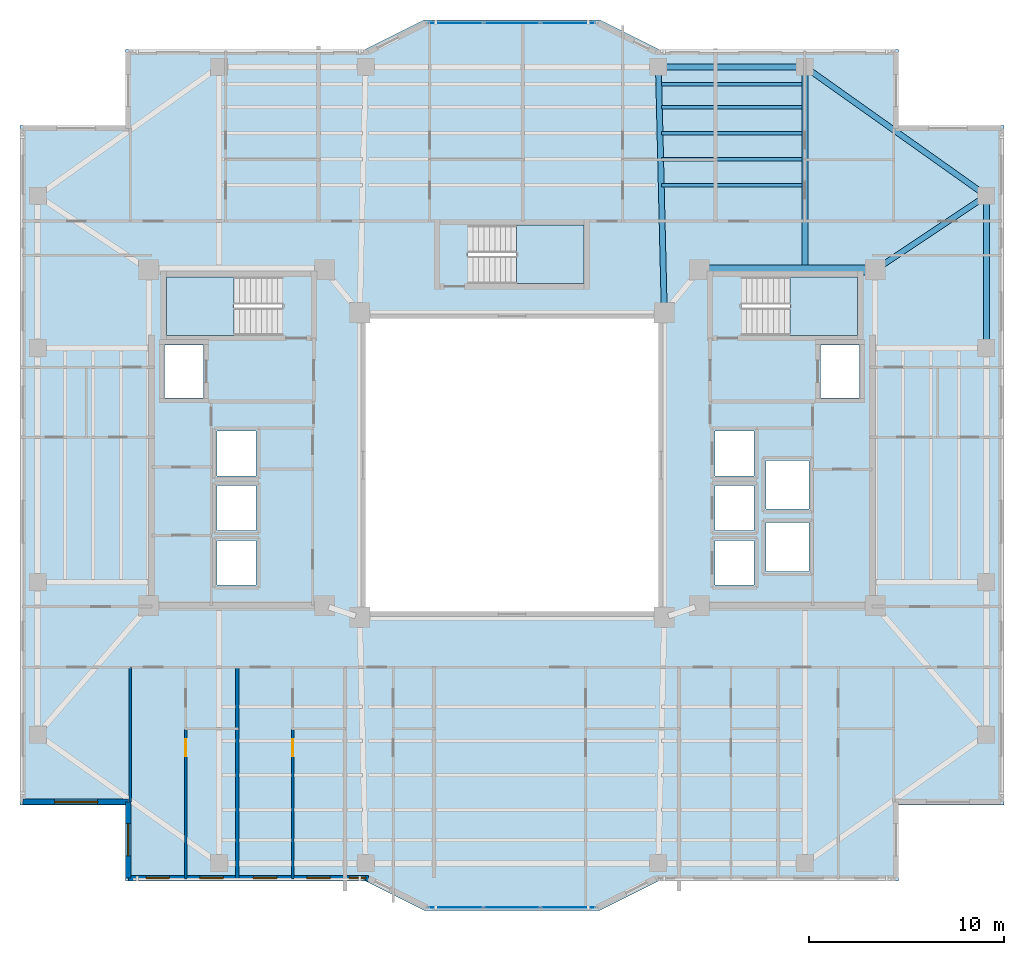
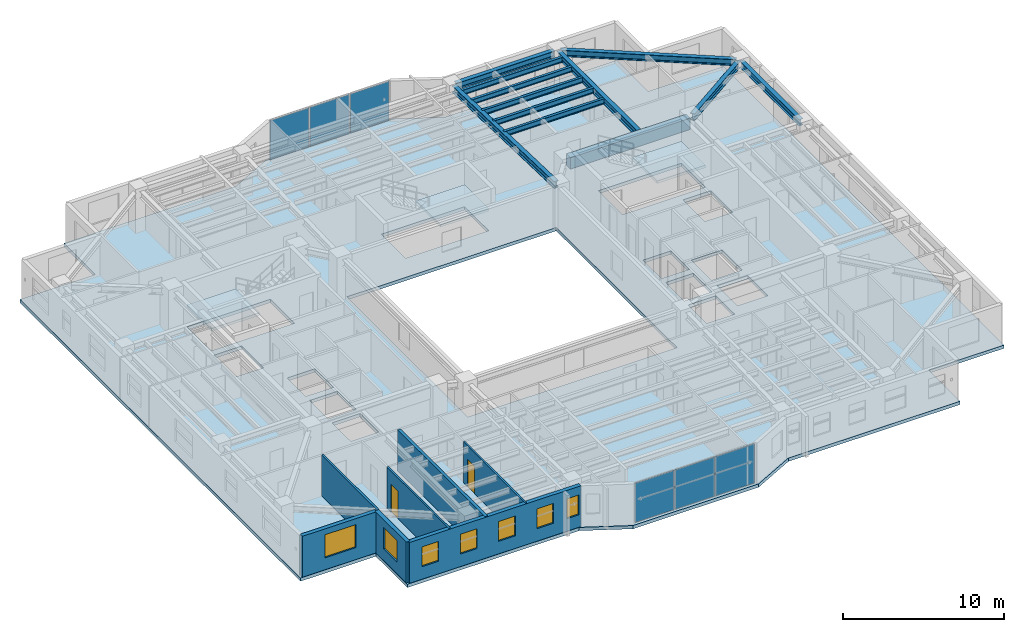
# One storey, part 5 of 16: 12 beams, 7 walls, 7 windows, 6 plates, 4 slabs, 2 doors, 9 openings, 5 elements without a shape of their own.
"""IFC4 building model written with IfcOpenShell, lengths in metres."""

from ifc_helpers import new_model, si_unit, direction, frame, frame_2d, origin, origin_2d, place, context, subcontext, project, spatial, polyline, rectangle, i_section, outline, extrude, material, layer, layer_set, material_profile, profile_set, type_object, element, fill, aggregate, save


model = new_model("IFC4")

# Units and contexts
model_context = context("Model", 3, precision=1e-05, world=origin(), true_north=direction((0.0, 1.0)))
body_context = subcontext(model_context, "Body", "Model", "MODEL_VIEW")
ifc_project = project(units=[si_unit("LENGTHUNIT", "METRE"), si_unit("AREAUNIT", "SQUARE_METRE"), si_unit("VOLUMEUNIT", "CUBIC_METRE"), si_unit("PLANEANGLEUNIT", "RADIAN"), si_unit("MASSUNIT", "GRAM", prefix="KILO")], contexts=[model_context])

# Site, building, storey
site_placement = place(None, origin())
site = spatial("IfcSite", under=ifc_project, at=site_placement, CompositionType="ELEMENT")
building_placement = place(site_placement, origin())
building = spatial("IfcBuilding", under=site, at=building_placement, Name="Tarnavaz Court Tower", CompositionType="ELEMENT")
storey_placement = place(building_placement, frame((0.0, 0.0, 135.949951171875)))
storey = spatial("IfcBuildingStorey", under=building, at=storey_placement, Name="L36", CompositionType="ELEMENT", Elevation=135.949951171875)

# Beams
ifc_material_1 = material(Name="Concrete C50/60", Category="concrete")
ifc_material_profile_1 = material_profile(ifc_material_1, rectangle(XDim=0.5, YDim=0.85009765625, at=origin_2d()), Name="RC 500X850")
ifc_profile_set_1 = profile_set([ifc_material_profile_1], Name="Concrete C50/60")
beam_type_1 = type_object("IfcBeamType", Name="BM-CB850", PredefinedType="LINTEL", material=ifc_profile_set_1)
beam_1_placement = place(storey_placement, frame((18.3798828125, 10.0, 2.675048828125), z_axis=(-1.0, 0.0, 0.0), x_axis=(0.0, -1.0, 0.0)))
element("IfcBeam", 1, at=beam_1_placement, inside=storey, type_object=beam_type_1, Name="L36 Beam IN-CE-NO-CE-NI", PredefinedType="LINTEL", context=body_context, shape_type="SweptSolid", body=[
    extrude(rectangle(XDim=0.5, YDim=0.85009765625, at=origin_2d()), origin(), (0.0, 0.0, 1.0), 8.559814453125),
])
ifc_material_2 = material(Name="Steel S355", Category="steel")
ifc_material_profile_2 = material_profile(ifc_material_2, i_section(OverallWidth=0.300048828125, OverallDepth=0.5, WebThickness=0.014404296875, FlangeThickness=0.028076171875, FilletRadius=0.027099609375, at=origin_2d()), Name="HEB 500")
ifc_profile_set_2 = profile_set([ifc_material_profile_2], Name="Steel S355")
beam_type_2 = type_object("IfcBeamType", Name="BM-G-HEB500", PredefinedType="USERDEFINED", material=ifc_profile_set_2)
beam_2_placement = place(storey_placement, frame((7.794921875, 8.02001953125, 2.85009765625), z_axis=(-0.023824748444, 0.999716150395, 0.0), x_axis=(-0.999716150395, -0.023824748444, 0.0)))
element("IfcBeam", 2, at=beam_2_placement, inside=storey, type_object=beam_type_2, Name="L36 Beam RG-03", ObjectType="GIRDER", PredefinedType="USERDEFINED", context=body_context, shape_type="SweptSolid", body=[
    extrude(i_section(OverallWidth=0.300048828125, OverallDepth=0.5, WebThickness=0.014404296875, FlangeThickness=0.028076171875, FilletRadius=0.027099609375, at=origin_2d()), origin(), (0.0, 0.0, 1.0), 12.16357421875),
])
beam_3_placement = place(storey_placement, frame((15.0, 10.0400390625, 2.85009765625), z_axis=(0.0, 1.0, 0.0), x_axis=(-1.0, 0.0, 0.0)))
element("IfcBeam", 3, at=beam_3_placement, inside=storey, type_object=beam_type_2, Name="L36 Beam RG-04", ObjectType="GIRDER", PredefinedType="USERDEFINED", context=body_context, shape_type="SweptSolid", body=[
    extrude(i_section(OverallWidth=0.300048828125, OverallDepth=0.5, WebThickness=0.014404296875, FlangeThickness=0.028076171875, FilletRadius=0.027099609375, at=origin_2d()), origin(), (0.0, 0.0, 1.0), 10.139892578125),
])
beam_4_placement = place(storey_placement, frame((18.783203125, 10.1220703125, 2.85009765625), z_axis=(0.832044435051, 0.554708985056, 0.0), x_axis=(-0.554708985056, 0.832044435051, 0.0)))
element("IfcBeam", 4, at=beam_4_placement, inside=storey, type_object=beam_type_2, Name="L36 Beam RG-12", ObjectType="GIRDER", PredefinedType="USERDEFINED", context=body_context, shape_type="SweptSolid", body=[
    extrude(i_section(OverallWidth=0.300048828125, OverallDepth=0.5, WebThickness=0.014404296875, FlangeThickness=0.028076171875, FilletRadius=0.027099609375, at=origin_2d()), origin(), (0.0, 0.0, 1.0), 6.410400390625),
])
ifc_material_profile_3 = material_profile(ifc_material_2, i_section(OverallWidth=0.179931640625, OverallDepth=0.39990234375, WebThickness=0.008544921875, FlangeThickness=0.013427734375, FilletRadius=0.02099609375, at=origin_2d()), Name="IPE 400")
ifc_profile_set_3 = profile_set([ifc_material_profile_3], Name="Steel S355")
beam_type_3 = type_object("IfcBeamType", Name="BM-J-IPE400", PredefinedType="JOIST", material=ifc_profile_set_3)
for number, where, z_axis, x_axis, name in (
    (5, (7.64990234375, 14.33203125, 2.900146484375), (1.0, 0.0, 0.0), (0.0, 1.0, 0.0), "L36 Beam JN1-3"),
    (6, (7.64990234375, 15.6640625, 2.900146484375), (1.0, 0.0, 0.0), (0.0, 1.0, 0.0), "L36 Beam JN2-3"),
    (7, (7.64990234375, 16.99609375, 2.900146484375), (1.0, 0.0, 0.0), (0.0, 1.0, 0.0), "L36 Beam JN3-3"),
    (8, (7.64990234375, 18.327880859375, 2.900146484375), (1.0, 0.0, 0.0), (0.0, 1.0, 0.0), "L36 Beam JN4-3"),
    (9, (7.64990234375, 19.511962890625, 2.900146484375), (1.0, 0.0, 0.0), (0.0, 1.0, 0.0), "L36 Beam JN5-3"),
):
    element("IfcBeam", number, at=place(storey_placement, frame(where, z_axis=z_axis, x_axis=x_axis)), inside=storey, type_object=beam_type_3, Name=name, PredefinedType="JOIST", context=body_context, shape_type="SweptSolid", body=[
        extrude(i_section(OverallWidth=0.179931640625, OverallDepth=0.39990234375, WebThickness=0.008544921875, FlangeThickness=0.013427734375, FilletRadius=0.02099609375, at=origin_2d()), origin(), (0.0, 0.0, 1.0), 7.2001953125),
    ])
ifc_material_profile_4 = material_profile(ifc_material_2, i_section(OverallWidth=0.300048828125, OverallDepth=0.489990234375, WebThickness=0.011962890625, FlangeThickness=0.02294921875, FilletRadius=0.027099609375, at=origin_2d()), Name="HEA 500")
ifc_profile_set_4 = profile_set([ifc_material_profile_4], Name="Steel S355")
beam_type_4 = type_object("IfcBeamType", Name="BM-SP-HEA500", PredefinedType="SPANDREL", material=ifc_profile_set_4)
beam_5_placement = place(storey_placement, frame((7.719970703125, 20.39990234375, 2.85498046875), z_axis=(1.0, 0.0, 0.0), x_axis=(0.0, 1.0, 0.0)))
element("IfcBeam", 10, at=beam_5_placement, inside=storey, type_object=beam_type_4, Name="L36 Beam PR-PN-3-PN-4", PredefinedType="SPANDREL", context=body_context, shape_type="SweptSolid", body=[
    extrude(i_section(OverallWidth=0.300048828125, OverallDepth=0.489990234375, WebThickness=0.011962890625, FlangeThickness=0.02294921875, FilletRadius=0.027099609375, at=origin_2d()), origin(), (0.0, 0.0, 1.0), 7.06005859375),
])
beam_6_placement = place(storey_placement, frame((24.300048828125, 6.219970703125, 2.85498046875), z_axis=(0.0, 1.0, 0.0), x_axis=(-1.0, 0.0, 0.0)))
element("IfcBeam", 11, at=beam_6_placement, inside=storey, type_object=beam_type_4, Name="L36 Beam PR-PE-3-PE-4", PredefinedType="SPANDREL", context=body_context, shape_type="SweptSolid", body=[
    extrude(i_section(OverallWidth=0.300048828125, OverallDepth=0.489990234375, WebThickness=0.011962890625, FlangeThickness=0.02294921875, FilletRadius=0.027099609375, at=origin_2d()), origin(), (0.0, 0.0, 1.0), 7.360107421875),
])
beam_7_placement = place(storey_placement, frame((15.179443359375, 20.272705078125, 2.85498046875), z_axis=(0.815502059396, -0.57875417158, 0.0), x_axis=(0.57875417158, 0.815502059396, 0.0)))
element("IfcBeam", 12, at=beam_7_placement, inside=storey, type_object=beam_type_4, Name="L36 Beam PR-PN-4-PE-4", PredefinedType="SPANDREL", context=body_context, shape_type="SweptSolid", body=[
    extrude(i_section(OverallWidth=0.300048828125, OverallDepth=0.489990234375, WebThickness=0.011962890625, FlangeThickness=0.02294921875, FilletRadius=0.027099609375, at=origin_2d()), origin(), (0.0, 0.0, 1.0), 10.964111328125),
])

# Curtain wall, plates
ifc_material_3 = material(Name="Anodised Aluminium 6063-T6 and Solar Low-E Glazing", Category="aluminium")
ifc_layer_1 = layer(ifc_material_3, 0.159912109375)
ifc_layer_set_1 = layer_set([ifc_layer_1], Name="Anodised Aluminium 6063-T6 and Solar Low-E Glazing")
curtain_wall_type = type_object("IfcCurtainWallType", Name="CW-SYS-03", PredefinedType="NOTDEFINED", material=ifc_layer_set_1)
curtain_wall_1_placement = place(storey_placement, origin())
curtain_wall_1 = element("IfcCurtainWall", 13, at=curtain_wall_1_placement, inside=storey, type_object=curtain_wall_type, Name="L36 Iwan Prow Curtain Wall 7", PredefinedType="NOTDEFINED")
ifc_material_4 = material(Name="Double-Glazed Solar Low-E Glass", Category="glass")
ifc_layer_2 = layer(ifc_material_4, 0.028076171875)
ifc_layer_set_2 = layer_set([ifc_layer_2], Name="Double-Glazed Solar Low-E Glass")
plate_type = type_object("IfcPlateType", Name="CW-PAN-GLZ28", PredefinedType="CURTAIN_PANEL", material=ifc_layer_set_2)
plate_1_placement = place(storey_placement, frame((-2.88134765625, 22.64990234375, 0.06494140625), z_axis=(0.0, 0.0, 1.0), x_axis=(1.0, 0.0, 0.0)))
plate_1 = element("IfcPlate", 14, at=plate_1_placement, type_object=plate_type, Name="CW panel 1.1", PredefinedType="CURTAIN_PANEL", context=body_context, shape_type="SweptSolid", body=[
    extrude(rectangle(XDim=2.78759765625, YDim=0.028076171875, at=origin_2d()), origin(), (0.0, 0.0, 1.0), 2.969970703125),
])
plate_2_placement = place(storey_placement, frame((0.0, 22.64990234375, 0.06494140625), z_axis=(0.0, 0.0, 1.0), x_axis=(1.0, 0.0, 0.0)))
plate_2 = element("IfcPlate", 15, at=plate_2_placement, type_object=plate_type, Name="CW panel 2.1", PredefinedType="CURTAIN_PANEL", context=body_context, shape_type="SweptSolid", body=[
    extrude(rectangle(XDim=2.824951171875, YDim=0.028076171875, at=origin_2d()), origin(), (0.0, 0.0, 1.0), 2.969970703125),
])
plate_3_placement = place(storey_placement, frame((2.88134765625, 22.64990234375, 0.06494140625), z_axis=(0.0, 0.0, 1.0), x_axis=(1.0, 0.0, 0.0)))
plate_3 = element("IfcPlate", 16, at=plate_3_placement, type_object=plate_type, Name="CW panel 3.1", PredefinedType="CURTAIN_PANEL", context=body_context, shape_type="SweptSolid", body=[
    extrude(rectangle(XDim=2.78759765625, YDim=0.028076171875, at=origin_2d()), origin(), (0.0, 0.0, 1.0), 2.969970703125),
])
aggregate(curtain_wall_1, [plate_1, plate_2, plate_3])

curtain_wall_2_placement = place(storey_placement, origin())
curtain_wall_2 = element("IfcCurtainWall", 17, at=curtain_wall_2_placement, inside=storey, type_object=curtain_wall_type, Name="L36 Iwan Prow Curtain Wall 17", PredefinedType="NOTDEFINED")
plate_4_placement = place(storey_placement, frame((2.88134765625, -22.64990234375, 0.06494140625), z_axis=(0.0, 0.0, 1.0), x_axis=(-1.0, 0.0, 0.0)))
plate_4 = element("IfcPlate", 18, at=plate_4_placement, type_object=plate_type, Name="CW panel 1.1", PredefinedType="CURTAIN_PANEL", context=body_context, shape_type="SweptSolid", body=[
    extrude(rectangle(XDim=2.78759765625, YDim=0.028076171875, at=origin_2d()), origin(), (0.0, 0.0, 1.0), 2.969970703125),
])
plate_5_placement = place(storey_placement, frame((0.0, -22.64990234375, 0.06494140625), z_axis=(0.0, 0.0, 1.0), x_axis=(-1.0, 0.0, 0.0)))
plate_5 = element("IfcPlate", 19, at=plate_5_placement, type_object=plate_type, Name="CW panel 2.1", PredefinedType="CURTAIN_PANEL", context=body_context, shape_type="SweptSolid", body=[
    extrude(rectangle(XDim=2.824951171875, YDim=0.028076171875, at=origin_2d()), origin(), (0.0, 0.0, 1.0), 2.969970703125),
])
plate_6_placement = place(storey_placement, frame((-2.88134765625, -22.64990234375, 0.06494140625), z_axis=(0.0, 0.0, 1.0), x_axis=(-1.0, 0.0, 0.0)))
plate_6 = element("IfcPlate", 20, at=plate_6_placement, type_object=plate_type, Name="CW panel 3.1", PredefinedType="CURTAIN_PANEL", context=body_context, shape_type="SweptSolid", body=[
    extrude(rectangle(XDim=2.78759765625, YDim=0.028076171875, at=origin_2d()), origin(), (0.0, 0.0, 1.0), 2.969970703125),
])
aggregate(curtain_wall_2, [plate_4, plate_5, plate_6])

# Stair, slab
ifc_material_5 = material(Name="Concrete C40/50", Category="concrete")
stair_type = type_object("IfcStairType", Name="ST-TWR-20R", PredefinedType="HALF_TURN_STAIR", material=ifc_material_5)
stair_1_placement = place(storey_placement, origin())
stair_1 = element("IfcStair", 21, at=stair_1_placement, inside=storey, type_object=stair_type, Name="L36 West Core Pressurized Exit Stair ST-W1", PredefinedType="HALF_TURN_STAIR")
ifc_layer_3 = layer(ifc_material_5, 0.199951171875)
ifc_layer_set_3 = layer_set([ifc_layer_3], Name="Concrete C40/50")
slab_type_1 = type_object("IfcSlabType", Name="SL-LAND-200", PredefinedType="LANDING", material=ifc_layer_set_3)
slab_1_placement = place(storey_placement, frame((0.0, 0.0, 1.47509765625)))
slab_1 = element("IfcSlab", 22, at=slab_1_placement, type_object=slab_type_1, Name="ST-W1 landing 1", PredefinedType="LANDING", context=body_context, shape_type="SweptSolid", body=[
    extrude(outline(polyline([(-14.239990234375, 9.639892578125), (-17.699951171875, 9.639892578125), (-17.699951171875, 6.64990234375), (-14.239990234375, 6.64990234375), (-14.239990234375, 9.639892578125)])), origin(), (0.0, 0.0, 1.0), 0.199951171875),
])
aggregate(stair_1, [slab_1])

stair_2_placement = place(storey_placement, origin())
stair_2 = element("IfcStair", 23, at=stair_2_placement, inside=storey, type_object=stair_type, Name="L36 East Core Pressurized Exit Stair ST-E1", PredefinedType="HALF_TURN_STAIR")
slab_2_placement = place(storey_placement, frame((0.0, 0.0, 1.47509765625)))
slab_2 = element("IfcSlab", 24, at=slab_2_placement, type_object=slab_type_1, Name="ST-E1 landing 1", PredefinedType="LANDING", context=body_context, shape_type="SweptSolid", body=[
    extrude(outline(polyline([(14.239990234375, 6.64990234375), (17.699951171875, 6.64990234375), (17.699951171875, 9.639892578125), (14.239990234375, 9.639892578125), (14.239990234375, 6.64990234375)])), origin(), (0.0, 0.0, 1.0), 0.199951171875),
])
aggregate(stair_2, [slab_2])

stair_3_placement = place(storey_placement, origin())
stair_3 = element("IfcStair", 25, at=stair_3_placement, inside=storey, type_object=stair_type, Name="L36 North Ring Pressurized Exit Stair ST-N1", PredefinedType="HALF_TURN_STAIR")
slab_3_placement = place(storey_placement, frame((0.0, 0.0, 1.47509765625)))
slab_3 = element("IfcSlab", 26, at=slab_3_placement, type_object=slab_type_1, Name="ST-N1 landing 1", PredefinedType="LANDING", context=body_context, shape_type="SweptSolid", body=[
    extrude(outline(polyline([(0.239990234375, 9.300048828125), (3.699951171875, 9.300048828125), (3.699951171875, 12.2900390625), (0.239990234375, 12.2900390625), (0.239990234375, 9.300048828125)])), origin(), (0.0, 0.0, 1.0), 0.199951171875),
])
aggregate(stair_3, [slab_3])

# Slab
ifc_layer_4 = layer(ifc_material_5, 0.25)
ifc_layer_set_4 = layer_set([ifc_layer_4], Name="Concrete C40/50")
slab_type_2 = type_object("IfcSlabType", Name="SL-RES-250", PredefinedType="FLOOR", material=ifc_layer_set_4)
slab_4_placement = place(storey_placement, frame((0.0, 0.0, -0.25)))
element("IfcSlab", 27, at=slab_4_placement, inside=storey, type_object=slab_type_2, Name="L36 Structural Floor Slab", PredefinedType="FLOOR", context=body_context, shape_type="SweptSolid", body=[
    extrude(outline(polyline([(-19.800048828125, -21.300048828125), (-7.5, -21.300048828125), (-4.5, -22.800048828125), (4.5, -22.800048828125), (7.5, -21.300048828125), (19.800048828125, -21.300048828125), (19.800048828125, -17.39990234375), (25.199951171875, -17.39990234375), (25.199951171875, 17.39990234375), (19.800048828125, 17.39990234375), (19.800048828125, 21.300048828125), (7.5, 21.300048828125), (4.5, 22.800048828125), (-4.5, 22.800048828125), (-7.5, 21.300048828125), (-19.800048828125, 21.300048828125), (-19.800048828125, 17.39990234375), (-25.199951171875, 17.39990234375), (-25.199951171875, -17.39990234375), (-19.800048828125, -17.39990234375), (-19.800048828125, -21.300048828125)]), holes=[polyline([(-7.5, -7.5), (7.5, -7.5), (7.5, 7.5), (-7.5, 7.5), (-7.5, -7.5)]), polyline([(-11.7451171875, 9.639892578125), (-17.699951171875, 9.639892578125), (-17.699951171875, 6.64990234375), (-11.7451171875, 6.64990234375), (-11.7451171875, 9.639892578125)]), polyline([(11.7451171875, 6.64990234375), (17.699951171875, 6.64990234375), (17.699951171875, 9.639892578125), (11.7451171875, 9.639892578125), (11.7451171875, 6.64990234375)]), polyline([(-2.2548828125, 9.300048828125), (3.699951171875, 9.300048828125), (3.699951171875, 12.2900390625), (-2.2548828125, 12.2900390625), (-2.2548828125, 9.300048828125)]), polyline([(-17.800048828125, 3.449951171875), (-15.800048828125, 3.449951171875), (-15.800048828125, 6.14990234375), (-17.800048828125, 6.14990234375), (-17.800048828125, 3.449951171875)]), polyline([(-15.10009765625, -6.14990234375), (-13.10009765625, -6.14990234375), (-13.10009765625, -3.85009765625), (-15.10009765625, -3.85009765625), (-15.10009765625, -6.14990234375)]), polyline([(-15.10009765625, -3.35009765625), (-13.10009765625, -3.35009765625), (-13.10009765625, -1.050048828125), (-15.10009765625, -1.050048828125), (-15.10009765625, -3.35009765625)]), polyline([(-15.10009765625, -0.550048828125), (-13.10009765625, -0.550048828125), (-13.10009765625, 1.75), (-15.10009765625, 1.75), (-15.10009765625, -0.550048828125)]), polyline([(15.800048828125, 3.449951171875), (17.800048828125, 3.449951171875), (17.800048828125, 6.14990234375), (15.800048828125, 6.14990234375), (15.800048828125, 3.449951171875)]), polyline([(10.39990234375, -6.14990234375), (12.39990234375, -6.14990234375), (12.39990234375, -3.85009765625), (10.39990234375, -3.85009765625), (10.39990234375, -6.14990234375)]), polyline([(10.39990234375, -3.35009765625), (12.39990234375, -3.35009765625), (12.39990234375, -1.050048828125), (10.39990234375, -1.050048828125), (10.39990234375, -3.35009765625)]), polyline([(10.39990234375, -0.550048828125), (12.39990234375, -0.550048828125), (12.39990234375, 1.75), (10.39990234375, 1.75), (10.39990234375, -0.550048828125)]), polyline([(13.0, -5.449951171875), (15.199951171875, -5.449951171875), (15.199951171875, -2.949951171875), (13.0, -2.949951171875), (13.0, -5.449951171875)]), polyline([(13.0, -2.25), (15.199951171875, -2.25), (15.199951171875, 0.25), (13.0, 0.25), (13.0, -2.25)])]), origin(), (0.0, 0.0, 1.0), 0.25),
])

# Wall, opening, window
ifc_material_6 = material(Name="Precast Concrete C40/50", Category="concrete")
ifc_layer_5 = layer(ifc_material_6, 0.280029296875)
ifc_layer_set_5 = layer_set([ifc_layer_5], Name="Precast Concrete C40/50")
wall_type_1 = type_object("IfcWallType", Name="WL-EXT-280", PredefinedType="SOLIDWALL", material=ifc_layer_set_5)
wall_1_placement = place(storey_placement, frame((-19.64990234375, -17.25, 0.0), z_axis=(0.0, 0.0, 1.0), x_axis=(-1.0, 0.0, 0.0)))
wall_1 = element("IfcWall", 28, at=wall_1_placement, inside=storey, type_object=wall_type_1, Name="L36 Exterior Terracotta Facade Wall 01", PredefinedType="SOLIDWALL", context=body_context, shape_type="SweptSolid", body=[
    extrude(rectangle(XDim=5.400146484375, YDim=0.280029296875, at=frame_2d((2.7001953125, 0.0))), origin(), (0.0, 0.0, 1.0), 3.10009765625),
])
opening_1_placement = place(wall_1_placement, frame((1.574951171875, 0.0, 0.89990234375)))
opening_1 = element("IfcOpeningElement", 29, at=opening_1_placement, cuts=wall_1, Name="Opening W07", PredefinedType="OPENING", context=body_context, shape_type="SweptSolid", body=[
    extrude(rectangle(XDim=2.199951171875, YDim=1.75, at=frame_2d((1.10009765625, 0.875))), frame((0.0, 0.14990234375, 0.0), z_axis=(0.0, -1.0, 0.0), x_axis=(1.0, 0.0, 0.0)), (0.0, 0.0, 1.0), 0.300048828125),
])
window_type_1 = type_object("IfcWindowType", Name="WN-APT-2200", PartitioningType="TRIPLE_PANEL_VERTICAL", PredefinedType="WINDOW", material=ifc_material_4)
window_1_placement = place(opening_1_placement, origin())
window_1 = element("IfcWindow", 30, at=window_1_placement, inside=storey, type_object=window_type_1, Name="L36 South-West Corner Reading Room Window", OverallHeight=1.75, OverallWidth=2.199951171875, PartitioningType="SINGLE_PANEL", PredefinedType="WINDOW", context=body_context, shape_type="SweptSolid", body=[
    extrude(rectangle(XDim=2.199951171875, YDim=1.75, at=frame_2d((1.10009765625, 0.875))), frame((0.0, 0.030029296875, 0.0), z_axis=(0.0, -1.0, 0.0), x_axis=(1.0, 0.0, 0.0)), (0.0, 0.0, 1.0), 0.06005859375),
])
fill(opening_1, window_1)

# Wall, openings, windows
wall_2_placement = place(storey_placement, frame((-7.35009765625, -21.14990234375, 0.0), z_axis=(0.0, 0.0, 1.0), x_axis=(-1.0, 0.0, 0.0)))
wall_2 = element("IfcWall", 31, at=wall_2_placement, inside=storey, type_object=wall_type_1, Name="L36 Exterior Terracotta Facade Wall 19", PredefinedType="SOLIDWALL", context=body_context, shape_type="SweptSolid", body=[
    extrude(rectangle(XDim=12.2998046875, YDim=0.280029296875, at=frame_2d((6.14990234375, 0.0))), origin(), (0.0, 0.0, 1.0), 3.10009765625),
])
opening_2_placement = place(wall_2_placement, frame((0.147216796875, 0.0, 0.949951171875)))
opening_2 = element("IfcOpeningElement", 32, at=opening_2_placement, cuts=wall_2, Name="Opening W15", PredefinedType="OPENING", context=body_context, shape_type="SweptSolid", body=[
    extrude(rectangle(XDim=0.85009765625, YDim=1.5, at=frame_2d((0.425048828125, 0.75))), frame((0.0, 0.14990234375, 0.0), z_axis=(0.0, -1.0, 0.0), x_axis=(1.0, 0.0, 0.0)), (0.0, 0.0, 1.0), 0.300048828125),
])
opening_3_placement = place(wall_2_placement, frame((1.96044921875, 0.0, 0.949951171875)))
opening_3 = element("IfcOpeningElement", 33, at=opening_3_placement, cuts=wall_2, Name="Opening W05", PredefinedType="OPENING", context=body_context, shape_type="SweptSolid", body=[
    extrude(rectangle(XDim=1.199951171875, YDim=1.5, at=frame_2d((0.60009765625, 0.75))), frame((0.0, 0.14990234375, 0.0), z_axis=(0.0, -1.0, 0.0), x_axis=(1.0, 0.0, 0.0)), (0.0, 0.0, 1.0), 0.300048828125),
])
opening_4_placement = place(wall_2_placement, frame((4.696533203125, 0.0, 0.949951171875)))
opening_4 = element("IfcOpeningElement", 34, at=opening_4_placement, cuts=wall_2, Name="Opening W05", PredefinedType="OPENING", context=body_context, shape_type="SweptSolid", body=[
    extrude(rectangle(XDim=1.199951171875, YDim=1.5, at=frame_2d((0.60009765625, 0.75))), frame((0.0, 0.14990234375, 0.0), z_axis=(0.0, -1.0, 0.0), x_axis=(1.0, 0.0, 0.0)), (0.0, 0.0, 1.0), 0.300048828125),
])
opening_5_placement = place(wall_2_placement, frame((7.4326171875, 0.0, 0.949951171875)))
opening_5 = element("IfcOpeningElement", 35, at=opening_5_placement, cuts=wall_2, Name="Opening W05", PredefinedType="OPENING", context=body_context, shape_type="SweptSolid", body=[
    extrude(rectangle(XDim=1.199951171875, YDim=1.5, at=frame_2d((0.60009765625, 0.75))), frame((0.0, 0.14990234375, 0.0), z_axis=(0.0, -1.0, 0.0), x_axis=(1.0, 0.0, 0.0)), (0.0, 0.0, 1.0), 0.300048828125),
])
opening_6_placement = place(wall_2_placement, frame((10.19384765625, 0.0, 0.949951171875)))
opening_6 = element("IfcOpeningElement", 36, at=opening_6_placement, cuts=wall_2, Name="Opening W05", PredefinedType="OPENING", context=body_context, shape_type="SweptSolid", body=[
    extrude(rectangle(XDim=1.199951171875, YDim=1.5, at=frame_2d((0.60009765625, 0.75))), frame((0.0, 0.14990234375, 0.0), z_axis=(0.0, -1.0, 0.0), x_axis=(1.0, 0.0, 0.0)), (0.0, 0.0, 1.0), 0.300048828125),
])
window_type_2 = type_object("IfcWindowType", Name="WN-APT-1200", PartitioningType="SINGLE_PANEL", PredefinedType="WINDOW", material=ifc_material_4)
window_2_placement = place(opening_3_placement, origin())
window_2 = element("IfcWindow", 37, at=window_2_placement, inside=storey, type_object=window_type_2, Name="L36 Flat 06 Kitchen Window", OverallHeight=1.5, OverallWidth=1.199951171875, PartitioningType="SINGLE_PANEL", PredefinedType="WINDOW", context=body_context, shape_type="SweptSolid", body=[
    extrude(rectangle(XDim=1.199951171875, YDim=1.5, at=frame_2d((0.60009765625, 0.75))), frame((0.0, 0.030029296875, 0.0), z_axis=(0.0, -1.0, 0.0), x_axis=(1.0, 0.0, 0.0)), (0.0, 0.0, 1.0), 0.06005859375),
])
fill(opening_3, window_2)
window_3_placement = place(opening_4_placement, origin())
window_3 = element("IfcWindow", 38, at=window_3_placement, inside=storey, type_object=window_type_2, Name="L36 Flat 06 Studio Living and Sleeping Room Window", OverallHeight=1.5, OverallWidth=1.199951171875, PartitioningType="SINGLE_PANEL", PredefinedType="WINDOW", context=body_context, shape_type="SweptSolid", body=[
    extrude(rectangle(XDim=1.199951171875, YDim=1.5, at=frame_2d((0.60009765625, 0.75))), frame((0.0, 0.030029296875, 0.0), z_axis=(0.0, -1.0, 0.0), x_axis=(1.0, 0.0, 0.0)), (0.0, 0.0, 1.0), 0.06005859375),
])
fill(opening_4, window_3)
window_4_placement = place(opening_5_placement, origin())
window_4 = element("IfcWindow", 39, at=window_4_placement, inside=storey, type_object=window_type_2, Name="L36 Flat 05 Kitchen Window", OverallHeight=1.5, OverallWidth=1.199951171875, PartitioningType="SINGLE_PANEL", PredefinedType="WINDOW", context=body_context, shape_type="SweptSolid", body=[
    extrude(rectangle(XDim=1.199951171875, YDim=1.5, at=frame_2d((0.60009765625, 0.75))), frame((0.0, 0.030029296875, 0.0), z_axis=(0.0, -1.0, 0.0), x_axis=(1.0, 0.0, 0.0)), (0.0, 0.0, 1.0), 0.06005859375),
])
fill(opening_5, window_4)
window_5_placement = place(opening_6_placement, origin())
window_5 = element("IfcWindow", 40, at=window_5_placement, inside=storey, type_object=window_type_2, Name="L36 Flat 05 Studio Living and Sleeping Room Window", OverallHeight=1.5, OverallWidth=1.199951171875, PartitioningType="SINGLE_PANEL", PredefinedType="WINDOW", context=body_context, shape_type="SweptSolid", body=[
    extrude(rectangle(XDim=1.199951171875, YDim=1.5, at=frame_2d((0.60009765625, 0.75))), frame((0.0, 0.030029296875, 0.0), z_axis=(0.0, -1.0, 0.0), x_axis=(1.0, 0.0, 0.0)), (0.0, 0.0, 1.0), 0.06005859375),
])
fill(opening_6, window_5)
window_type_3 = type_object("IfcWindowType", Name="WN-APT-850", PartitioningType="SINGLE_PANEL", PredefinedType="WINDOW", material=ifc_material_4)
window_6_placement = place(opening_2_placement, origin())
window_6 = element("IfcWindow", 41, at=window_6_placement, inside=storey, type_object=window_type_3, Name="L36 Flat 09 Studio Living and Sleeping Room Window", OverallHeight=1.5, OverallWidth=0.85009765625, PartitioningType="SINGLE_PANEL", PredefinedType="WINDOW", context=body_context, shape_type="SweptSolid", body=[
    extrude(rectangle(XDim=0.85009765625, YDim=1.5, at=frame_2d((0.425048828125, 0.75))), frame((0.0, 0.030029296875, 0.0), z_axis=(0.0, -1.0, 0.0), x_axis=(1.0, 0.0, 0.0)), (0.0, 0.0, 1.0), 0.06005859375),
])
fill(opening_2, window_6)

# Wall, opening, window
wall_3_placement = place(storey_placement, frame((-19.64990234375, -21.14990234375, 0.0), z_axis=(0.0, 0.0, 1.0), x_axis=(0.0, 1.0, 0.0)))
wall_3 = element("IfcWall", 42, at=wall_3_placement, inside=storey, type_object=wall_type_1, Name="L36 Exterior Terracotta Facade Wall 20", PredefinedType="SOLIDWALL", context=body_context, shape_type="SweptSolid", body=[
    extrude(rectangle(XDim=3.89990234375, YDim=0.280029296875, at=frame_2d((1.949951171875, 0.0))), origin(), (0.0, 0.0, 1.0), 3.10009765625),
])
opening_7_placement = place(wall_3_placement, frame((1.142822265625, 0.0, 0.89990234375)))
opening_7 = element("IfcOpeningElement", 43, at=opening_7_placement, cuts=wall_3, Name="Opening W02", PredefinedType="OPENING", context=body_context, shape_type="SweptSolid", body=[
    extrude(rectangle(XDim=1.64990234375, YDim=1.60009765625, at=frame_2d((0.824951171875, 0.800048828125))), frame((0.0, 0.14990234375, 0.0), z_axis=(0.0, -1.0, 0.0), x_axis=(1.0, 0.0, 0.0)), (0.0, 0.0, 1.0), 0.300048828125),
])
window_type_4 = type_object("IfcWindowType", Name="WN-APT-1650", PartitioningType="DOUBLE_PANEL_VERTICAL", PredefinedType="WINDOW", material=ifc_material_4)
window_7_placement = place(opening_7_placement, origin())
window_7 = element("IfcWindow", 44, at=window_7_placement, inside=storey, type_object=window_type_4, Name="L36 Flat 05 Studio Living and Sleeping Room Window", OverallHeight=1.60009765625, OverallWidth=1.64990234375, PartitioningType="SINGLE_PANEL", PredefinedType="WINDOW", context=body_context, shape_type="SweptSolid", body=[
    extrude(rectangle(XDim=1.64990234375, YDim=1.60009765625, at=frame_2d((0.824951171875, 0.800048828125))), frame((0.0, 0.030029296875, 0.0), z_axis=(0.0, -1.0, 0.0), x_axis=(1.0, 0.0, 0.0)), (0.0, 0.0, 1.0), 0.06005859375),
])
fill(opening_7, window_7)

# Wall
ifc_material_7 = material(Name="Autoclaved Aerated Concrete Blockwork", Category="masonry")
ifc_layer_6 = layer(ifc_material_7, 0.199951171875)
ifc_layer_set_6 = layer_set([ifc_layer_6], Name="Autoclaved Aerated Concrete Blockwork")
wall_type_2 = type_object("IfcWallType", Name="WL-FIRE-200", PredefinedType="SOLIDWALL", material=ifc_layer_set_6)
wall_4_placement = place(storey_placement, frame((-14.074951171875, -21.199951171875, 0.0), z_axis=(0.0, 0.0, 1.0), x_axis=(0.0, 1.0, 0.0)))
element("IfcWall", 45, at=wall_4_placement, inside=storey, type_object=wall_type_2, Name="L36 Party Wall 091", PredefinedType="SOLIDWALL", context=body_context, shape_type="SweptSolid", body=[
    extrude(rectangle(XDim=10.849853515625, YDim=0.199951171875, at=frame_2d((5.4248046875, 0.0))), origin(), (0.0, 0.0, 1.0), 3.10009765625),
])

# Wall, opening, door
ifc_material_8 = material(Name="Moisture-Resistant Gypsum Board Partition", Category="masonry")
ifc_layer_7 = layer(ifc_material_8, 0.1201171875)
ifc_layer_set_7 = layer_set([ifc_layer_7], Name="Moisture-Resistant Gypsum Board Partition")
wall_type_3 = type_object("IfcWallType", Name="WL-PART-120", PredefinedType="PARTITIONING", material=ifc_layer_set_7)
wall_5_placement = place(storey_placement, frame((-16.705078125, -21.199951171875, 0.0), z_axis=(0.0, 0.0, 1.0), x_axis=(0.0, 1.0, 0.0)))
wall_5 = element("IfcWall", 46, at=wall_5_placement, inside=storey, type_object=wall_type_3, Name="L36 Interior Partition 092", PredefinedType="PARTITIONING", context=body_context, shape_type="SweptSolid", body=[
    extrude(rectangle(XDim=7.68994140625, YDim=0.1201171875, at=frame_2d((3.844970703125, 0.0))), origin(), (0.0, 0.0, 1.0), 3.10009765625),
])
opening_8_placement = place(wall_5_placement, frame((6.2900390625, 0.0, 0.0)))
opening_8 = element("IfcOpeningElement", 47, at=opening_8_placement, cuts=wall_5, Name="Opening D14", PredefinedType="OPENING", context=body_context, shape_type="SweptSolid", body=[
    extrude(rectangle(XDim=0.8798828125, YDim=2.10009765625, at=frame_2d((0.43994140625, 1.050048828125))), frame((0.0, 0.070068359375, 0.0), z_axis=(0.0, -1.0, 0.0), x_axis=(1.0, 0.0, 0.0)), (0.0, 0.0, 1.0), 0.14013671875),
])
ifc_material_9 = material(Name="Engineered Oak Timber", Category="wood")
door_type = type_object("IfcDoorType", Name="DR-INT-900", OperationType="NOTDEFINED", PredefinedType="DOOR", material=ifc_material_9)
door_1_placement = place(opening_8_placement, origin())
door_1 = element("IfcDoor", 48, at=door_1_placement, inside=storey, type_object=door_type, Name="L36 Flat 05 Kitchen Door", OperationType="SINGLE_SWING_LEFT", OverallHeight=2.10009765625, OverallWidth=0.8798828125, PredefinedType="DOOR", context=body_context, shape_type="SweptSolid", body=[
    extrude(rectangle(XDim=0.8798828125, YDim=2.10009765625, at=frame_2d((0.43994140625, 1.050048828125))), frame((0.0, 0.02490234375, 0.0), z_axis=(0.0, -1.0, 0.0), x_axis=(1.0, 0.0, 0.0)), (0.0, 0.0, 1.0), 0.050048828125),
])
fill(opening_8, door_1)

wall_6_placement = place(storey_placement, frame((-11.22998046875, -21.199951171875, 0.0), z_axis=(0.0, 0.0, 1.0), x_axis=(0.0, 1.0, 0.0)))
wall_6 = element("IfcWall", 49, at=wall_6_placement, inside=storey, type_object=wall_type_3, Name="L36 Interior Partition 095", PredefinedType="PARTITIONING", context=body_context, shape_type="SweptSolid", body=[
    extrude(rectangle(XDim=7.68994140625, YDim=0.1201171875, at=frame_2d((3.844970703125, 0.0))), origin(), (0.0, 0.0, 1.0), 3.10009765625),
])
opening_9_placement = place(wall_6_placement, frame((6.2900390625, 0.0, 0.0)))
opening_9 = element("IfcOpeningElement", 50, at=opening_9_placement, cuts=wall_6, Name="Opening D14", PredefinedType="OPENING", context=body_context, shape_type="SweptSolid", body=[
    extrude(rectangle(XDim=0.8798828125, YDim=2.10009765625, at=frame_2d((0.43994140625, 1.050048828125))), frame((0.0, 0.070068359375, 0.0), z_axis=(0.0, -1.0, 0.0), x_axis=(1.0, 0.0, 0.0)), (0.0, 0.0, 1.0), 0.14013671875),
])
door_2_placement = place(opening_9_placement, origin())
door_2 = element("IfcDoor", 51, at=door_2_placement, inside=storey, type_object=door_type, Name="L36 Flat 06 Kitchen Door", OperationType="SINGLE_SWING_RIGHT", OverallHeight=2.10009765625, OverallWidth=0.8798828125, PredefinedType="DOOR", context=body_context, shape_type="SweptSolid", body=[
    extrude(rectangle(XDim=0.8798828125, YDim=2.10009765625, at=frame_2d((0.43994140625, 1.050048828125))), frame((0.0, 0.02490234375, 0.0), z_axis=(0.0, -1.0, 0.0), x_axis=(1.0, 0.0, 0.0)), (0.0, 0.0, 1.0), 0.050048828125),
])
fill(opening_9, door_2)

# Wall
ifc_material_10 = material(Name="Gypsum Plasterboard Acoustic Partition", Category="masonry")
ifc_layer_8 = layer(ifc_material_10, 0.139892578125)
ifc_layer_set_8 = layer_set([ifc_layer_8], Name="Gypsum Plasterboard Acoustic Partition")
wall_type_4 = type_object("IfcWallType", Name="WL-PART-150", PredefinedType="PARTITIONING", material=ifc_layer_set_8)
wall_7_placement = place(storey_placement, frame((-19.550048828125, -17.25, 0.0), z_axis=(0.0, 0.0, 1.0), x_axis=(0.0, 1.0, 0.0)))
element("IfcWall", 52, at=wall_7_placement, inside=storey, type_object=wall_type_4, Name="L36 Interior Partition 119", PredefinedType="PARTITIONING", context=body_context, shape_type="SweptSolid", body=[
    extrude(rectangle(XDim=6.89990234375, YDim=0.139892578125, at=frame_2d((3.449951171875, 0.0))), origin(), (0.0, 0.0, 1.0), 3.10009765625),
])

save(model, "model.ifc")
